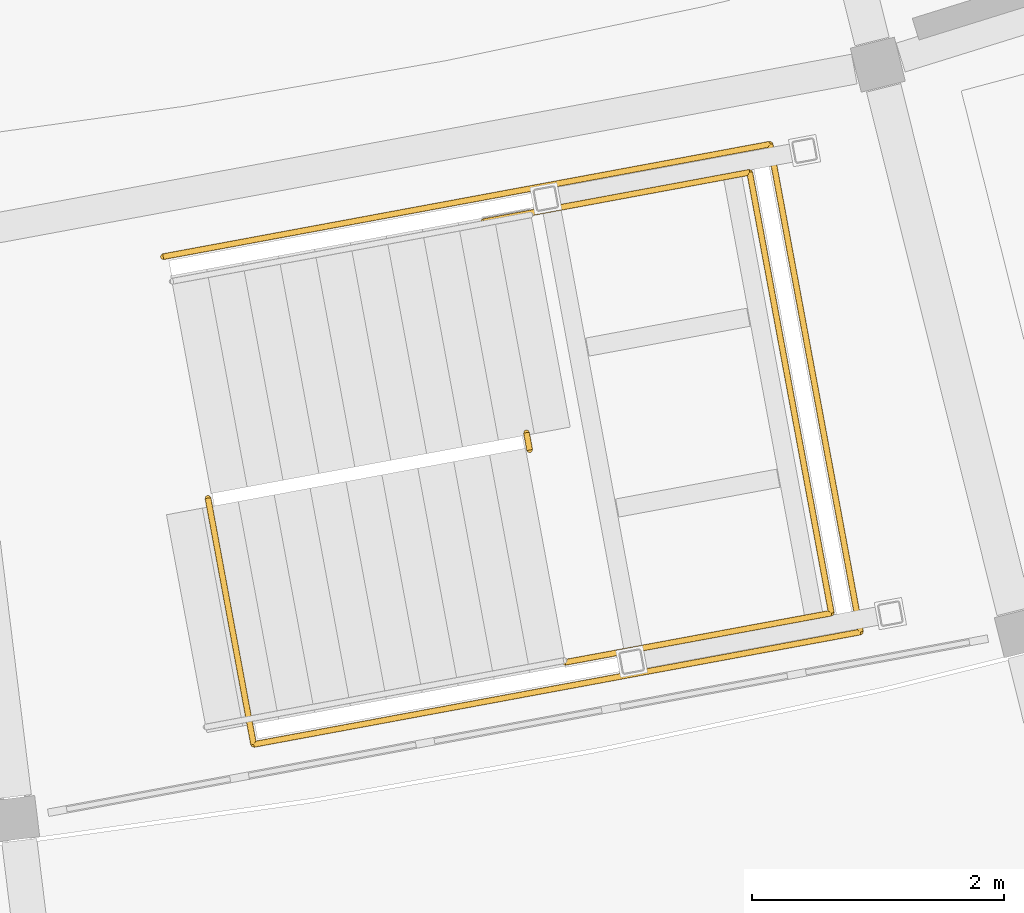
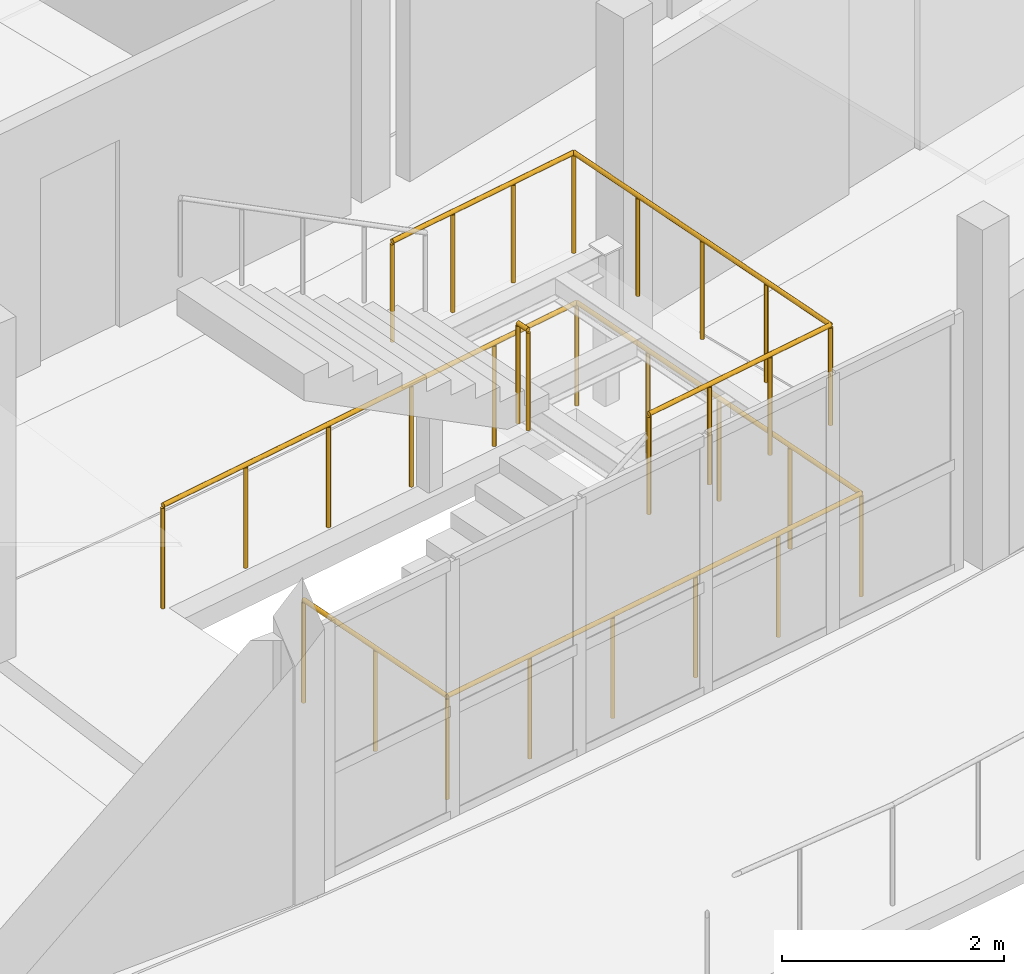
# One storey, part 23 of 24: 3 railings.
"""IFC4 building model written with IfcOpenShell, lengths in metres."""

import ifcopenshell
import ifcopenshell.guid

model = None  # the IFC model being written
_history = None  # IfcOwnerHistory: only IFC2X3 demands one
_inside = {}  # id of a spatial element -> (the spatial element, [elements in it])
_under = {}  # id of a project, library or spatial element -> (it, [spatial elements below it])
_declared = {}  # id of a project -> (the project, [libraries it declares])
_typed = {}  # id of a type object -> (the type object, [elements of that type])
_made_of = {}  # id of a material, layer set ... -> (it, [elements and type objects made of it])


def new_model(schema):
    """Start an empty IFC model of exactly this schema.

    Asked for "IFC4X3", IfcOpenShell would pick the latest addendum, in which some entities
    have other attributes; the version numbers below select the first issue.
    IFC2X3 requires an IfcOwnerHistory on every rooted entity: one is made here for all.
    """
    global model, _history
    if schema == "IFC4X3":
        model = ifcopenshell.file(schema_version=(4, 3, 0, 0))
    else:
        model = ifcopenshell.file(schema=schema)
    _inside.clear()
    _under.clear()
    _declared.clear()
    _typed.clear()
    _made_of.clear()
    _history = None
    if model.schema == "IFC2X3":
        org = make("IfcOrganization", Name="unknown")
        user = make(
            "IfcPersonAndOrganization",
            ThePerson=make("IfcPerson", FamilyName="unknown"),
            TheOrganization=org,
        )
        app = make(
            "IfcApplication",
            ApplicationDeveloper=org,
            Version="unknown",
            ApplicationFullName="unknown",
            ApplicationIdentifier="unknown",
        )
        _history = make(
            "IfcOwnerHistory",
            OwningUser=user,
            OwningApplication=app,
            ChangeAction="ADDED",
            CreationDate=0,
        )
    return model


def make(cls, **values):
    """One entity of the class cls with the attributes given. An attribute that is None is left unset."""
    return model.create_entity(
        cls, **{name: value for name, value in values.items() if value is not None}
    )


def rooted(cls, **values):
    """An entity with a GlobalId (a new one), such as an element, a storey or a relation."""
    return make(cls, GlobalId=ifcopenshell.guid.new(), OwnerHistory=_history, **values)


def si_unit(unit_type, name, prefix=None):
    """IfcSIUnit, for example si_unit("LENGTHUNIT", "METRE", prefix="MILLI")."""
    return make("IfcSIUnit", UnitType=unit_type, Prefix=prefix, Name=name)


def assignment(units):
    """IfcUnitAssignment: the units of a project."""
    return None if units is None else make("IfcUnitAssignment", Units=units)


def point(xyz):
    """IfcCartesianPoint."""
    return None if xyz is None else make("IfcCartesianPoint", Coordinates=xyz)


def direction(xyz):
    """IfcDirection."""
    return None if xyz is None else make("IfcDirection", DirectionRatios=xyz)


def frame(location, z_axis=None, x_axis=None):
    """IfcAxis2Placement3D, a coordinate frame: its origin and axes. An axis left out is left unset."""
    return make(
        "IfcAxis2Placement3D",
        Location=point(location),
        Axis=direction(z_axis),
        RefDirection=direction(x_axis),
    )


def frame_2d(location, x_axis=None):
    """IfcAxis2Placement2D, a coordinate frame in the plane: its origin and x axis."""
    return make(
        "IfcAxis2Placement2D", Location=point(location), RefDirection=direction(x_axis)
    )


def origin():
    """The frame at (0, 0, 0) with its axes left unset."""
    return frame((0.0, 0.0, 0.0))


def origin_2d():
    """The frame at (0, 0) in the plane with its x axis left unset."""
    return frame_2d((0.0, 0.0))


def place(relative_to, where):
    """IfcLocalPlacement: puts the frame where relative to a parent placement (None: the world)."""
    return make(
        "IfcLocalPlacement", PlacementRelTo=relative_to, RelativePlacement=where
    )


def context(
    kind, dimensions, precision=None, world=None, true_north=None, identifier=None
):
    """IfcGeometricRepresentationContext, for example the 3D "Model" context."""
    return make(
        "IfcGeometricRepresentationContext",
        ContextIdentifier=identifier,
        ContextType=kind,
        CoordinateSpaceDimension=dimensions,
        Precision=precision,
        WorldCoordinateSystem=world,
        TrueNorth=true_north,
    )


def subcontext(parent, identifier, kind, view, scale=None):
    """IfcGeometricRepresentationSubContext, for example "Body" below "Model"."""
    return make(
        "IfcGeometricRepresentationSubContext",
        ContextIdentifier=identifier,
        ContextType=kind,
        ParentContext=parent,
        TargetScale=scale,
        TargetView=view,
    )


def project(units=None, contexts=None):
    """IfcProject with its units and contexts."""
    return rooted(
        "IfcProject",
        Name="project",
        RepresentationContexts=contexts,
        UnitsInContext=assignment(units),
    )


def spatial(cls, under=None, at=None, **own):
    """A site, building, storey or space (cls), placed at a placement, below another one or the project."""
    s = rooted(cls, ObjectPlacement=at, **own)
    if under is not None:
        _under.setdefault(under.id(), (under, []))[1].append(s)
    return s


def profile(cls, at=None, kind="AREA", **sizes):
    """A parametric profile (cls). Its sizes go by their IFC names, for example OverallWidth=200.0."""
    return make(cls, ProfileType=kind, Position=at, **sizes)


def circle(**sizes):
    """IfcCircleProfileDef."""
    return profile("IfcCircleProfileDef", **sizes)


def extrude(swept, where, along, depth):
    """IfcExtrudedAreaSolid: the profile swept, set in the frame where, extruded along a direction by depth."""
    return make(
        "IfcExtrudedAreaSolid",
        SweptArea=swept,
        Position=where,
        ExtrudedDirection=direction(along),
        Depth=depth,
    )


def shape(context_of_items, identifier, shape_type, items):
    """IfcShapeRepresentation: the items that make up one representation, for example the "Body"."""
    return make(
        "IfcShapeRepresentation",
        ContextOfItems=context_of_items,
        RepresentationIdentifier=identifier,
        RepresentationType=shape_type,
        Items=items,
    )


def material(Name=None, Category=None):
    """IfcMaterial."""
    return make("IfcMaterial", Name=Name, Category=Category)


def made_of(thing, what):
    """Note that an element or type object is made of a material, layer set ...; save() writes the relation."""
    if what is not None:
        _made_of.setdefault(what.id(), (what, []))[1].append(thing)
    return thing


def type_object(cls, material=None, **own):
    """A type object (cls), such as IfcWallType, which elements share."""
    return made_of(rooted(cls, **own), material)


def element(
    cls,
    number,
    at=None,
    inside=None,
    cuts=None,
    type_object=None,
    material=None,
    context=None,
    identifier="Body",
    shape_type=None,
    held_by="IfcProductDefinitionShape",
    body=None,
    shapes=None,
    **own,
):
    """One element of the class cls, such as IfcWall. Its Tag is "e" and its number.

    at: its placement. inside: the storey or other place that contains it. cuts: it is an
    opening in that element (IfcRelVoidsElement). A single representation is given by context,
    identifier, shape_type and body (its items); several are given by shapes. held_by: the class
    of the entity that holds the representations. save() writes the other relations.
    """
    e = rooted(cls, Tag="e%d" % number, ObjectPlacement=at, **own)
    if body is not None:
        shapes = [shape(context, identifier, shape_type, body)]
    if shapes is not None:
        e.Representation = make(held_by, Representations=shapes)
    if inside is not None:
        _inside.setdefault(inside.id(), (inside, []))[1].append(e)
    if cuts is not None:
        rooted(
            "IfcRelVoidsElement", RelatingBuildingElement=cuts, RelatedOpeningElement=e
        )
    if type_object is not None:
        _typed.setdefault(type_object.id(), (type_object, []))[1].append(e)
    return made_of(e, material)


def aggregate(whole, parts):
    """IfcRelAggregates: a whole, such as a stair, and the parts it consists of."""
    return rooted("IfcRelAggregates", RelatingObject=whole, RelatedObjects=parts)


def save(model, path):
    """Write the relations noted so far, then the file.

    IfcRelAggregates (storeys below a building ...), IfcRelContainedInSpatialStructure (elements
    in a storey), IfcRelDefinesByType, IfcRelAssociatesMaterial and IfcRelDeclares: one each for
    every whole, place, type object, material and project.
    """
    for whole, parts in _under.values():
        aggregate(whole, parts)
    for where, things in _inside.values():
        rooted(
            "IfcRelContainedInSpatialStructure",
            RelatedElements=things,
            RelatingStructure=where,
        )
    for kind, things in _typed.values():
        rooted("IfcRelDefinesByType", RelatedObjects=things, RelatingType=kind)
    for what, things in _made_of.values():
        rooted("IfcRelAssociatesMaterial", RelatedObjects=things, RelatingMaterial=what)
    for by, libraries in _declared.values():
        rooted("IfcRelDeclares", RelatingContext=by, RelatedDefinitions=libraries)
    model.write(path)


model = new_model("IFC4")

# Units and contexts
model_context = context("Model", 3, precision=1e-05, world=origin(), true_north=direction((0.0, 1.0)))
body_context = subcontext(model_context, "Body", "Model", "MODEL_VIEW")
ifc_project = project(units=[si_unit("LENGTHUNIT", "METRE"), si_unit("AREAUNIT", "SQUARE_METRE"), si_unit("VOLUMEUNIT", "CUBIC_METRE"), si_unit("PLANEANGLEUNIT", "RADIAN"), si_unit("MASSUNIT", "GRAM", prefix="KILO")], contexts=[model_context])

# Site, building, storey
site_placement = place(None, origin())
site = spatial("IfcSite", under=ifc_project, at=site_placement, CompositionType="ELEMENT")
building_placement = place(site_placement, origin())
building = spatial("IfcBuilding", under=site, at=building_placement, Name="Caldaven Crescent School", CompositionType="ELEMENT")
storey_placement = place(building_placement, frame((0.0, 0.0, 15.639892578125)))
storey = spatial("IfcBuildingStorey", under=building, at=storey_placement, Name="L04", CompositionType="ELEMENT", Elevation=15.639892578125)

# Railings
ifc_material = material(Name="Powder-coated tubular steel balustrade ASTM A572 Grade 50", Category="steel")
railing_type_1 = type_object("IfcRailingType", Name="RAL-INT2", PredefinedType="BALUSTRADE", material=ifc_material)
railing_1_placement = place(storey_placement, frame((100.443359375, 31.3857421875, 1.8701171875)))
element("IfcRailing", 1, at=railing_1_placement, inside=storey, type_object=railing_type_1, Name="GD-LND-ST3-L04", PredefinedType="BALUSTRADE", context=body_context, shape_type="SweptSolid", body=[
    extrude(circle(Radius=0.02392578125, at=origin_2d()), frame((0.0, 0.0, 1.09619140625), z_axis=(0.983272214345, 0.182142121701, 0.0), x_axis=(-0.182142121701, 0.983272214345, 0.0)), (0.0, 0.0, 1.0), 2.14990234375),
    extrude(circle(Radius=0.02392578125, at=origin_2d()), frame((2.114013671875, 0.3916015625, 1.09619140625), z_axis=(-0.182209587226, 0.983259714584, 0.0), x_axis=(-0.983259714584, -0.182209587226, 0.0)), (0.0, 0.0, 1.0), 3.56005859375),
    extrude(circle(Radius=0.02392578125, at=origin_2d()), frame((1.46533203125, 3.89208984375, 1.09619140625), z_axis=(-0.983251871482, -0.182251905962, 0.0), x_axis=(0.182251905962, -0.983251871482, 0.0)), (0.0, 0.0, 1.0), 2.14990234375),
    extrude(circle(Radius=0.02099609375, at=origin_2d()), origin(), (0.0, 0.0, 1.0), 1.072021484375),
    extrude(circle(Radius=0.02099609375, at=origin_2d()), frame((0.70458984375, 0.130615234375, 0.0)), (0.0, 0.0, 1.0), 1.072021484375),
    extrude(circle(Radius=0.02099609375, at=origin_2d()), frame((1.409423828125, 0.260986328125, 0.0)), (0.0, 0.0, 1.0), 1.072021484375),
    extrude(circle(Radius=0.02099609375, at=origin_2d()), frame((2.114013671875, 0.3916015625, 0.0)), (0.0, 0.0, 1.0), 1.072021484375),
    extrude(circle(Radius=0.02099609375, at=origin_2d()), frame((1.951904296875, 1.2666015625, 0.0)), (0.0, 0.0, 1.0), 1.072021484375),
    extrude(circle(Radius=0.02099609375, at=origin_2d()), frame((1.78955078125, 2.141845703125, 0.0)), (0.0, 0.0, 1.0), 1.072021484375),
    extrude(circle(Radius=0.02099609375, at=origin_2d()), frame((1.62744140625, 3.01708984375, 0.0)), (0.0, 0.0, 1.0), 1.072021484375),
    extrude(circle(Radius=0.02099609375, at=origin_2d()), frame((1.46533203125, 3.89208984375, 0.0)), (0.0, 0.0, 1.0), 1.072021484375),
    extrude(circle(Radius=0.02099609375, at=origin_2d()), frame((0.7607421875, 3.761474609375, 0.0)), (0.0, 0.0, 1.0), 1.072021484375),
    extrude(circle(Radius=0.02099609375, at=origin_2d()), frame((0.055908203125, 3.630859375, 0.0)), (0.0, 0.0, 1.0), 1.072021484375),
    extrude(circle(Radius=0.02099609375, at=origin_2d()), frame((-0.648681640625, 3.500244140625, 0.0)), (0.0, 0.0, 1.0), 1.072021484375),
])
railing_2_placement = place(storey_placement, frame((100.161376953125, 33.072509765625, 1.8701171875)))
element("IfcRailing", 2, at=railing_2_placement, inside=storey, type_object=railing_type_1, Name="GD-SLT-ST3-L04", PredefinedType="BALUSTRADE", context=body_context, shape_type="SweptSolid", body=[
    extrude(circle(Radius=0.02392578125, at=origin_2d()), frame((0.0, 0.0, 1.09619140625), z_axis=(-0.183025457922, 0.983108173983, 0.0), x_axis=(-0.983108173983, -0.183025457922, 0.0)), (0.0, 0.0, 1.0), 0.14013671875),
    extrude(circle(Radius=0.02099609375, at=origin_2d()), origin(), (0.0, 0.0, 1.0), 1.072021484375),
    extrude(circle(Radius=0.02099609375, at=origin_2d()), frame((-0.025634765625, 0.1376953125, 0.0)), (0.0, 0.0, 1.0), 1.072021484375),
])
railing_type_2 = type_object("IfcRailingType", Name="RAL-INT3", PredefinedType="BALUSTRADE", material=ifc_material)
railing_3_placement = place(storey_placement, frame((97.606201171875, 32.6904296875, 0.0)))
element("IfcRailing", 3, at=railing_3_placement, inside=storey, type_object=railing_type_2, Name="GD-WELL-ST3-L04", PredefinedType="BALUSTRADE", context=body_context, shape_type="SweptSolid", body=[
    extrude(circle(Radius=0.02392578125, at=origin_2d()), frame((0.0, 0.0, 1.1259765625), z_axis=(0.182199096939, -0.983261658499, 0.0), x_axis=(0.983261658499, 0.182199096939, 0.0)), (0.0, 0.0, 1.0), 1.98974609375),
    extrude(circle(Radius=0.02392578125, at=origin_2d()), frame((0.362548828125, -1.95654296875, 1.1259765625), z_axis=(0.983254581157, 0.18223728662, 0.0), x_axis=(-0.18223728662, 0.983254581157, 0.0)), (0.0, 0.0, 1.0), 4.90185546875),
    extrude(circle(Radius=0.02392578125, at=origin_2d()), frame((5.182373046875, -1.063232421875, 1.1259765625), z_axis=(-0.182237923861, 0.98325446305, 0.0), x_axis=(-0.98325446305, -0.182237923861, 0.0)), (0.0, 0.0, 1.0), 3.93994140625),
    extrude(circle(Radius=0.02392578125, at=origin_2d()), frame((4.46435546875, 2.810791015625, 1.1259765625), z_axis=(-0.983254581157, -0.18223728662, 0.0), x_axis=(0.18223728662, -0.983254581157, 0.0)), (0.0, 0.0, 1.0), 4.90185546875),
    extrude(circle(Radius=0.02099609375, at=origin_2d()), origin(), (0.0, 0.0, 1.0), 1.101806640625),
    extrude(circle(Radius=0.02099609375, at=origin_2d()), frame((0.18115234375, -0.978271484375, 0.0)), (0.0, 0.0, 1.0), 1.101806640625),
    extrude(circle(Radius=0.02099609375, at=origin_2d()), frame((0.362548828125, -1.95654296875, 0.0)), (0.0, 0.0, 1.0), 1.101806640625),
    extrude(circle(Radius=0.02099609375, at=origin_2d()), frame((1.326416015625, -1.77783203125, 0.0)), (0.0, 0.0, 1.0), 1.101806640625),
    extrude(circle(Radius=0.02099609375, at=origin_2d()), frame((2.29052734375, -1.59912109375, 0.0)), (0.0, 0.0, 1.0), 1.101806640625),
    extrude(circle(Radius=0.02099609375, at=origin_2d()), frame((3.25439453125, -1.420654296875, 0.0)), (0.0, 0.0, 1.0), 1.101806640625),
    extrude(circle(Radius=0.02099609375, at=origin_2d()), frame((4.218505859375, -1.241943359375, 0.0)), (0.0, 0.0, 1.0), 1.101806640625),
    extrude(circle(Radius=0.02099609375, at=origin_2d()), frame((5.182373046875, -1.063232421875, 0.0)), (0.0, 0.0, 1.0), 1.101806640625),
    extrude(circle(Radius=0.02099609375, at=origin_2d()), frame((5.0029296875, -0.0947265625, 0.0)), (0.0, 0.0, 1.0), 1.101806640625),
    extrude(circle(Radius=0.02099609375, at=origin_2d()), frame((4.8232421875, 0.873779296875, 0.0)), (0.0, 0.0, 1.0), 1.101806640625),
    extrude(circle(Radius=0.02099609375, at=origin_2d()), frame((4.643798828125, 1.84228515625, 0.0)), (0.0, 0.0, 1.0), 1.101806640625),
    extrude(circle(Radius=0.02099609375, at=origin_2d()), frame((4.46435546875, 2.810791015625, 0.0)), (0.0, 0.0, 1.0), 1.101806640625),
    extrude(circle(Radius=0.02099609375, at=origin_2d()), frame((3.50048828125, 2.632080078125, 0.0)), (0.0, 0.0, 1.0), 1.101806640625),
    extrude(circle(Radius=0.02099609375, at=origin_2d()), frame((2.536376953125, 2.453369140625, 0.0)), (0.0, 0.0, 1.0), 1.101806640625),
    extrude(circle(Radius=0.02099609375, at=origin_2d()), frame((1.572509765625, 2.27490234375, 0.0)), (0.0, 0.0, 1.0), 1.101806640625),
    extrude(circle(Radius=0.02099609375, at=origin_2d()), frame((0.6083984375, 2.09619140625, 0.0)), (0.0, 0.0, 1.0), 1.101806640625),
    extrude(circle(Radius=0.02099609375, at=origin_2d()), frame((-0.35546875, 1.91748046875, 0.0)), (0.0, 0.0, 1.0), 1.101806640625),
])

save(model, "model.ifc")
